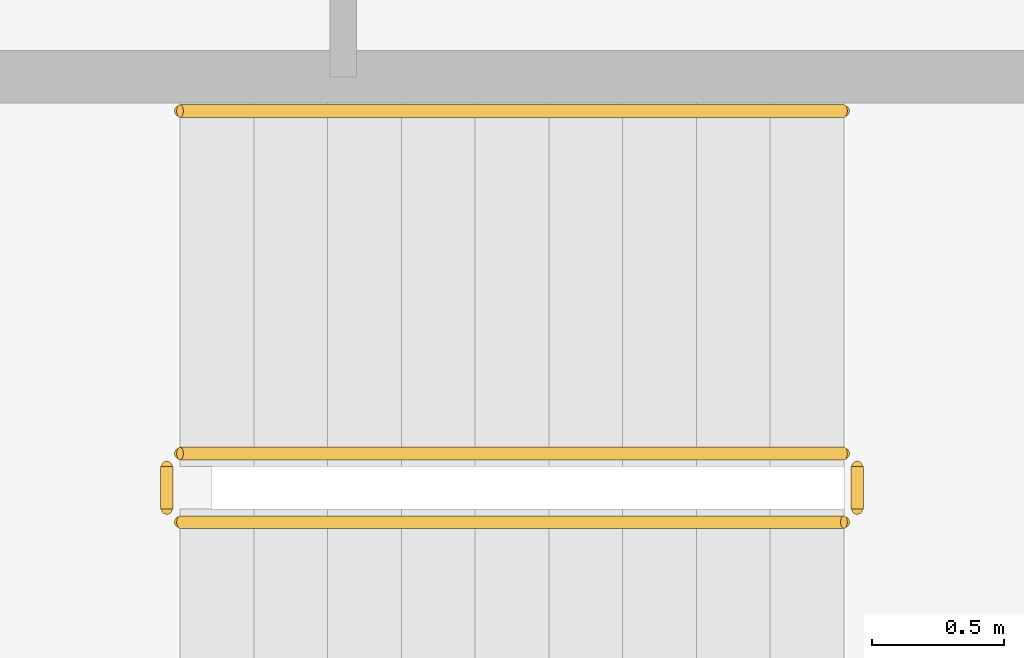
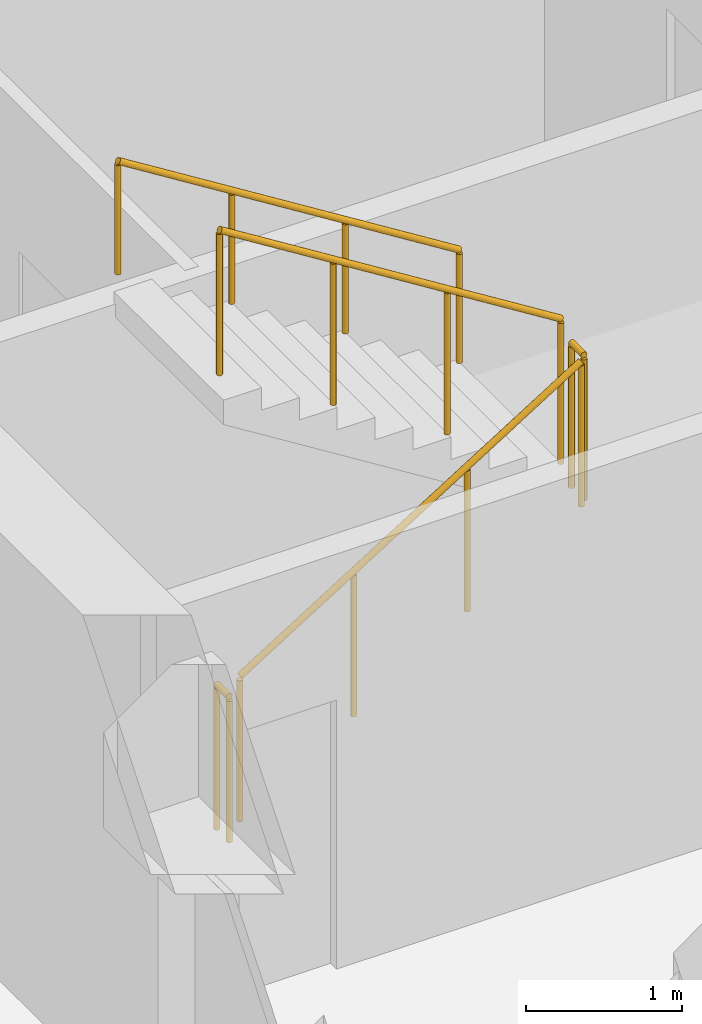
# One storey, part 37 of 39: 5 railings.
"""IFC4 building model written with IfcOpenShell, lengths in metres."""

from ifc_helpers import new_model, si_unit, direction, frame, origin, origin_2d, place, context, subcontext, project, spatial, circle, extrude, material, type_object, element, save


model = new_model("IFC4")

# Units and contexts
model_context = context("Model", 3, precision=1e-05, world=origin(), true_north=direction((0.0, 1.0)))
body_context = subcontext(model_context, "Body", "Model", "MODEL_VIEW")
ifc_project = project(units=[si_unit("LENGTHUNIT", "METRE"), si_unit("AREAUNIT", "SQUARE_METRE"), si_unit("VOLUMEUNIT", "CUBIC_METRE"), si_unit("PLANEANGLEUNIT", "RADIAN"), si_unit("MASSUNIT", "GRAM", prefix="KILO")], contexts=[model_context])

# Site, building, storey
site_placement = place(None, origin())
site = spatial("IfcSite", under=ifc_project, at=site_placement, CompositionType="ELEMENT")
building_placement = place(site_placement, origin())
building = spatial("IfcBuilding", under=site, at=building_placement, Name="Drelvath Grand Hotel", CompositionType="ELEMENT")
storey_placement = place(building_placement, frame((0.0, 0.0, 40.199951171875)))
storey = spatial("IfcBuildingStorey", under=building, at=storey_placement, Name="L08", CompositionType="ELEMENT", Elevation=40.199951171875)

# Railings
ifc_material = material(Name="Painted Steel S275", Category="steel")
railing_type_1 = type_object("IfcRailingType", Name="Core Stair Wall Handrail 900", PredefinedType="HANDRAIL", material=ifc_material)
railing_1_placement = place(storey_placement, frame((-4.080078125, 28.030029296875, 1.925048828125)))
element("IfcRailing", 1, at=railing_1_placement, inside=storey, type_object=railing_type_1, Name="L08 ST-1 stair handrail 2", PredefinedType="HANDRAIL", context=body_context, shape_type="SweptSolid", body=[
    extrude(circle(Radius=0.02392578125, at=origin_2d()), frame((0.0, 0.0, 0.8759765625), z_axis=(-0.848007534815, 0.0, 0.529984170421), x_axis=(0.0, -1.0, 0.0)), (0.0, 0.0, 1.0), 2.9716796875),
    extrude(circle(Radius=0.02099609375, at=origin_2d()), origin(), (0.0, 0.0, 1.0), 0.851806640625),
    extrude(circle(Radius=0.02099609375, at=origin_2d()), frame((-0.840087890625, 0.0, 0.52490234375)), (0.0, 0.0, 1.0), 0.851806640625),
    extrude(circle(Radius=0.02099609375, at=origin_2d()), frame((-1.679931640625, 0.0, 1.050048828125)), (0.0, 0.0, 1.0), 0.851806640625),
    extrude(circle(Radius=0.02099609375, at=origin_2d()), frame((-2.52001953125, 0.0, 1.574951171875)), (0.0, 0.0, 1.0), 0.851806640625),
])
railing_type_2 = type_object("IfcRailingType", Name="Core Stair Well Guardrail 1100", PredefinedType="GUARDRAIL", material=ifc_material)
railing_2_placement = place(storey_placement, frame((-6.60009765625, 26.469970703125, 0.175048828125)))
element("IfcRailing", 2, at=railing_2_placement, inside=storey, type_object=railing_type_2, Name="L08 ST-1 stair guard 1", PredefinedType="GUARDRAIL", context=body_context, shape_type="SweptSolid", body=[
    extrude(circle(Radius=0.02392578125, at=origin_2d()), frame((0.0, 0.0, 1.1259765625), z_axis=(0.848007534815, 0.0, 0.529984170421), x_axis=(0.0, 1.0, 0.0)), (0.0, 0.0, 1.0), 2.9716796875),
    extrude(circle(Radius=0.02099609375, at=origin_2d()), origin(), (0.0, 0.0, 1.0), 1.101806640625),
    extrude(circle(Radius=0.02099609375, at=origin_2d()), frame((0.840087890625, 0.0, 0.52490234375)), (0.0, 0.0, 1.0), 1.101806640625),
    extrude(circle(Radius=0.02099609375, at=origin_2d()), frame((1.679931640625, 0.0, 1.050048828125)), (0.0, 0.0, 1.0), 1.101806640625),
    extrude(circle(Radius=0.02099609375, at=origin_2d()), frame((2.52001953125, 0.0, 1.574951171875)), (0.0, 0.0, 1.0), 1.101806640625),
])
railing_3_placement = place(storey_placement, frame((-4.030029296875, 26.52001953125, 1.75)))
element("IfcRailing", 3, at=railing_3_placement, inside=storey, type_object=railing_type_2, Name="L08 ST-1 stair guard 2", PredefinedType="GUARDRAIL", context=body_context, shape_type="SweptSolid", body=[
    extrude(circle(Radius=0.02392578125, at=origin_2d()), frame((0.0, 0.0, 1.1259765625), z_axis=(0.0, 1.0, 0.0), x_axis=(-1.0, 0.0, 0.0)), (0.0, 0.0, 1.0), 0.159912109375),
    extrude(circle(Radius=0.02099609375, at=origin_2d()), origin(), (0.0, 0.0, 1.0), 1.101806640625),
    extrude(circle(Radius=0.02099609375, at=origin_2d()), frame((0.0, 0.159912109375, 0.0)), (0.0, 0.0, 1.0), 1.101806640625),
])
railing_4_placement = place(storey_placement, frame((-4.080078125, 26.72998046875, 1.925048828125)))
element("IfcRailing", 4, at=railing_4_placement, inside=storey, type_object=railing_type_2, Name="L08 ST-1 stair guard 3", PredefinedType="GUARDRAIL", context=body_context, shape_type="SweptSolid", body=[
    extrude(circle(Radius=0.02392578125, at=origin_2d()), frame((0.0, 0.0, 1.1259765625), z_axis=(-0.848007534815, 0.0, 0.529984170421), x_axis=(0.0, -1.0, 0.0)), (0.0, 0.0, 1.0), 2.9716796875),
    extrude(circle(Radius=0.02099609375, at=origin_2d()), origin(), (0.0, 0.0, 1.0), 1.101806640625),
    extrude(circle(Radius=0.02099609375, at=origin_2d()), frame((-0.840087890625, 0.0, 0.52490234375)), (0.0, 0.0, 1.0), 1.101806640625),
    extrude(circle(Radius=0.02099609375, at=origin_2d()), frame((-1.679931640625, 0.0, 1.050048828125)), (0.0, 0.0, 1.0), 1.101806640625),
    extrude(circle(Radius=0.02099609375, at=origin_2d()), frame((-2.52001953125, 0.0, 1.574951171875)), (0.0, 0.0, 1.0), 1.101806640625),
])
railing_5_placement = place(storey_placement, frame((-6.64990234375, 26.52001953125, 0.0)))
element("IfcRailing", 5, at=railing_5_placement, inside=storey, type_object=railing_type_2, Name="L08 ST-1 stair guard 4", PredefinedType="GUARDRAIL", context=body_context, shape_type="SweptSolid", body=[
    extrude(circle(Radius=0.02392578125, at=origin_2d()), frame((0.0, 0.0, 1.1259765625), z_axis=(0.0, 1.0, 0.0), x_axis=(-1.0, 0.0, 0.0)), (0.0, 0.0, 1.0), 0.159912109375),
    extrude(circle(Radius=0.02099609375, at=origin_2d()), origin(), (0.0, 0.0, 1.0), 1.101806640625),
    extrude(circle(Radius=0.02099609375, at=origin_2d()), frame((0.0, 0.159912109375, 0.0)), (0.0, 0.0, 1.0), 1.101806640625),
])

save(model, "model.ifc")
